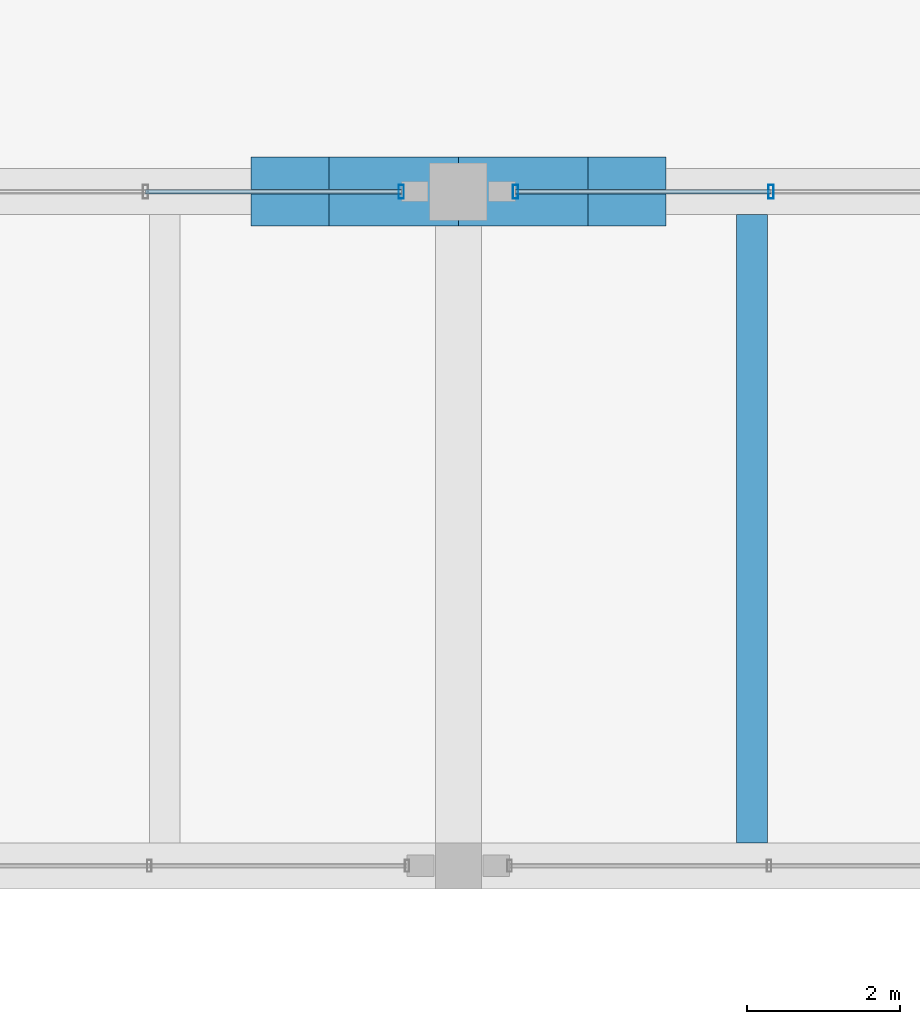
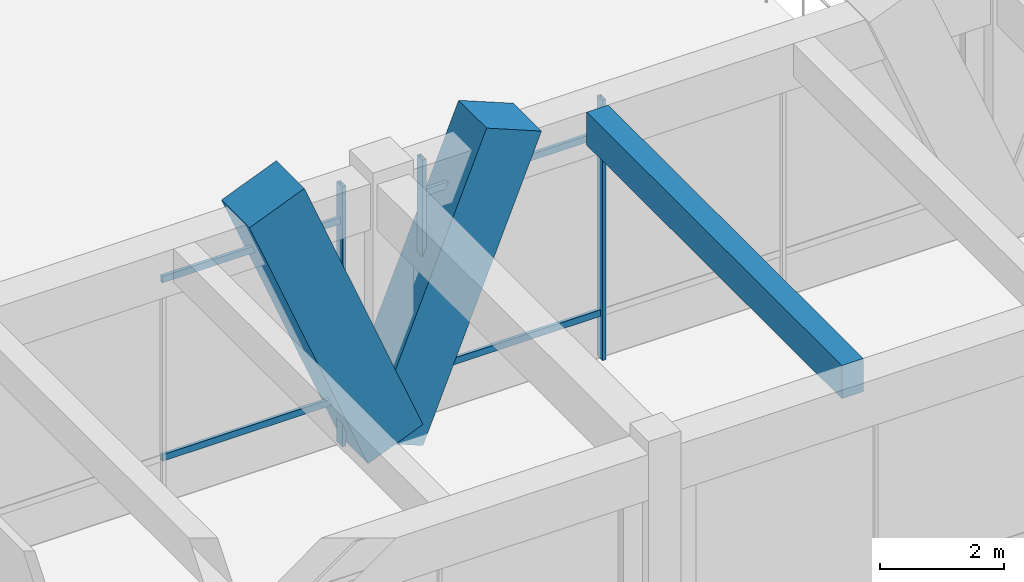
# One storey, part 87 of 148: 9 members, 1 beam, 2 elements without a shape of their own.
"""IFC4 building model written with IfcOpenShell, lengths in metres."""

from ifc_helpers import new_model, si_unit, direction, frame, origin, origin_2d, place, context, subcontext, project, spatial, rectangle, hollow_rectangle, extrude, material, material_profile, profile_set, type_object, element, aggregate, save


model = new_model("IFC4")

# Units and contexts
model_context = context("Model", 3, precision=1e-05, world=origin(), true_north=direction((0.0, 1.0)))
body_context = subcontext(model_context, "Body", "Model", "MODEL_VIEW")
ifc_project = project(units=[si_unit("LENGTHUNIT", "METRE"), si_unit("AREAUNIT", "SQUARE_METRE"), si_unit("VOLUMEUNIT", "CUBIC_METRE"), si_unit("PLANEANGLEUNIT", "RADIAN"), si_unit("MASSUNIT", "GRAM", prefix="KILO")], contexts=[model_context])

# Site, building, storey
site_placement = place(None, origin())
site = spatial("IfcSite", under=ifc_project, at=site_placement, CompositionType="ELEMENT")
building_placement = place(site_placement, origin())
building = spatial("IfcBuilding", under=site, at=building_placement, Name="Ologun Quay Terminus", CompositionType="ELEMENT")
storey_placement = place(building_placement, frame((0.0, 0.0, 8.39990234375)))
storey = spatial("IfcBuildingStorey", under=building, at=storey_placement, Name="L02", CompositionType="ELEMENT", Elevation=8.39990234375)

# Curtain wall, member
ifc_material_1 = material(Name="Aluminium 6063-T6", Category="aluminium")
curtain_wall_type = type_object("IfcCurtainWallType", Name="Train Shed South Clerestory Curtain Wall 10700x5050", PredefinedType="USERDEFINED", material=ifc_material_1)
curtain_wall_1_placement = place(storey_placement, origin())
curtain_wall_1 = element("IfcCurtainWall", 1, at=curtain_wall_1_placement, inside=storey, type_object=curtain_wall_type, Name="CW-08 Curtain Wall CW-L02-066", ObjectType="UNITISED CURTAIN WALL", PredefinedType="USERDEFINED")
ifc_material_2 = material(Name="Aluminium 6063-T6", Category="aluminium")
ifc_material_profile_1 = material_profile(ifc_material_2, hollow_rectangle(XDim=0.070068359375, YDim=0.179931640625, WallThickness=0.0048828125, at=origin_2d()), Name="ALU 180x70x5")
ifc_profile_set_1 = profile_set([ifc_material_profile_1], Name="Aluminium 6063-T6")
member_type_1 = type_object("IfcMemberType", Name="Concourse Clerestory Mullion 180x70", PredefinedType="MULLION", material=ifc_profile_set_1)
member_1_placement = place(storey_placement, frame((137.2548828125, 36.0, 0.0), z_axis=(0.0, 0.0, 1.0), x_axis=(1.0, 0.0, 0.0)))
member_1 = element("IfcMember", 2, at=member_1_placement, type_object=member_type_1, Name="CW-L02-066 Mullion 4", PredefinedType="MULLION", context=body_context, shape_type="SweptSolid", body=[
    extrude(hollow_rectangle(XDim=0.070068359375, YDim=0.179931640625, WallThickness=0.0048828125, at=origin_2d()), origin(), (0.0, 0.0, 1.0), 5.10009765625),
])

# Curtain wall, members
curtain_wall_2_placement = place(storey_placement, origin())
curtain_wall_2 = element("IfcCurtainWall", 3, at=curtain_wall_2_placement, inside=storey, type_object=curtain_wall_type, Name="CW-08 Curtain Wall CW-L02-068", ObjectType="UNITISED CURTAIN WALL", PredefinedType="USERDEFINED")
member_2_placement = place(storey_placement, frame((138.7451171875, 36.0, 0.0), z_axis=(0.0, 0.0, 1.0), x_axis=(1.0, 0.0, 0.0)))
member_2 = element("IfcMember", 4, at=member_2_placement, type_object=member_type_1, Name="CW-L02-068 Mullion 1", PredefinedType="MULLION", context=body_context, shape_type="SweptSolid", body=[
    extrude(hollow_rectangle(XDim=0.070068359375, YDim=0.179931640625, WallThickness=0.0048828125, at=origin_2d()), origin(), (0.0, 0.0, 1.0), 5.10009765625),
])
member_3_placement = place(storey_placement, frame((142.081787109375, 36.0, 0.0), z_axis=(0.0, 0.0, 1.0), x_axis=(1.0, 0.0, 0.0)))
member_3 = element("IfcMember", 5, at=member_3_placement, type_object=member_type_1, Name="CW-L02-068 Mullion 2", PredefinedType="MULLION", context=body_context, shape_type="SweptSolid", body=[
    extrude(hollow_rectangle(XDim=0.070068359375, YDim=0.179931640625, WallThickness=0.0048828125, at=origin_2d()), origin(), (0.0, 0.0, 1.0), 5.10009765625),
])

# Member
ifc_material_3 = material(Name="Aluminium 6063-T6", Category="aluminium")
ifc_material_profile_2 = material_profile(ifc_material_3, hollow_rectangle(XDim=0.06005859375, YDim=0.1298828125, WallThickness=0.00390625, at=origin_2d()), Name="ALU 130x60x4")
ifc_profile_set_2 = profile_set([ifc_material_profile_2], Name="Aluminium 6063-T6")
member_type_2 = type_object("IfcMemberType", Name="Concourse Clerestory Transom 130x60", PredefinedType="USERDEFINED", material=ifc_profile_set_2)
member_4_placement = place(storey_placement, frame((133.918212890625, 36.0, 0.900146484375), z_axis=(1.0, 0.0, 0.0), x_axis=(0.0, 1.0, 0.0)))
member_4 = element("IfcMember", 6, at=member_4_placement, type_object=member_type_2, Name="CW-L02-066 Transom B3-1", ObjectType="TRANSOM", PredefinedType="USERDEFINED", context=body_context, shape_type="SweptSolid", body=[
    extrude(hollow_rectangle(XDim=0.06005859375, YDim=0.1298828125, WallThickness=0.00390625, at=origin_2d()), origin(), (0.0, 0.0, 1.0), 3.336669921875),
])

member_5_placement = place(storey_placement, frame((133.918212890625, 36.0, 4.400146484375), z_axis=(1.0, 0.0, 0.0), x_axis=(0.0, 1.0, 0.0)))
member_5 = element("IfcMember", 7, at=member_5_placement, type_object=member_type_2, Name="CW-L02-066 Transom B3-2", ObjectType="TRANSOM", PredefinedType="USERDEFINED", context=body_context, shape_type="SweptSolid", body=[
    extrude(hollow_rectangle(XDim=0.06005859375, YDim=0.1298828125, WallThickness=0.00390625, at=origin_2d()), origin(), (0.0, 0.0, 1.0), 3.336669921875),
])

aggregate(curtain_wall_1, [member_1, member_4, member_5])

member_6_placement = place(storey_placement, frame((138.7451171875, 36.0, 0.900146484375), z_axis=(1.0, 0.0, 0.0), x_axis=(0.0, 1.0, 0.0)))
member_6 = element("IfcMember", 8, at=member_6_placement, type_object=member_type_2, Name="CW-L02-068 Transom B1-1", ObjectType="TRANSOM", PredefinedType="USERDEFINED", context=body_context, shape_type="SweptSolid", body=[
    extrude(hollow_rectangle(XDim=0.06005859375, YDim=0.1298828125, WallThickness=0.00390625, at=origin_2d()), origin(), (0.0, 0.0, 1.0), 3.336669921875),
])

member_7_placement = place(storey_placement, frame((138.7451171875, 36.0, 4.400146484375), z_axis=(1.0, 0.0, 0.0), x_axis=(0.0, 1.0, 0.0)))
member_7 = element("IfcMember", 9, at=member_7_placement, type_object=member_type_2, Name="CW-L02-068 Transom B1-2", ObjectType="TRANSOM", PredefinedType="USERDEFINED", context=body_context, shape_type="SweptSolid", body=[
    extrude(hollow_rectangle(XDim=0.06005859375, YDim=0.1298828125, WallThickness=0.00390625, at=origin_2d()), origin(), (0.0, 0.0, 1.0), 3.336669921875),
])

aggregate(curtain_wall_2, [member_2, member_3, member_6, member_7])

# Members
ifc_material_4 = material(Name="Concrete C45/55", Category="concrete")
ifc_material_profile_3 = material_profile(ifc_material_4, rectangle(XDim=0.89990234375, YDim=1.10009765625, at=origin_2d()), Name="RC 900x1100")
ifc_profile_set_3 = profile_set([ifc_material_profile_3], Name="Concrete C45/55")
member_type_3 = type_object("IfcMemberType", Name="Sculpted Concrete Arch V-Buttress Strut 900x1100", PredefinedType="STRUT", material=ifc_profile_set_3)
for number, where, z_axis, x_axis, name in (
    (10, (138.0, 36.0, 0.0), (-0.377280927807, 0.0, 0.926098861631), (0.0, -1.0, 0.0), "VS1 Arch V-Buttress West Limb 13/E"),
    (11, (138.0, 36.0, 0.0), (0.377280927807, 0.0, 0.926098861631), (0.0, 1.0, 0.0), "VS1 Arch V-Buttress East Limb 13/E"),
):
    element("IfcMember", number, at=place(storey_placement, frame(where, z_axis=z_axis, x_axis=x_axis)), inside=storey, type_object=member_type_3, Name=name, PredefinedType="STRUT", context=body_context, shape_type="SweptSolid", body=[
        extrude(rectangle(XDim=0.89990234375, YDim=1.10009765625, at=origin_2d()), origin(), (0.0, 0.0, 1.0), 5.8310546875),
    ])

# Beam
ifc_material_5 = material(Name="Concrete C40/50", Category="concrete")
ifc_material_profile_4 = material_profile(ifc_material_5, rectangle(XDim=0.39990234375, YDim=0.64990234375, at=origin_2d()), Name="RC 400x650")
ifc_profile_set_4 = profile_set([ifc_material_profile_4], Name="Concrete C40/50")
beam_type = type_object("IfcBeamType", Name="Station Secondary Joist 400x650", PredefinedType="JOIST", material=ifc_profile_set_4)
beam_placement = place(storey_placement, frame((141.833251953125, 27.5, 4.8251953125), z_axis=(0.0, 1.0, 0.0), x_axis=(-1.0, 0.0, 0.0)))
element("IfcBeam", 12, at=beam_placement, inside=storey, type_object=beam_type, Name="J1 Beam 13/D L02", PredefinedType="JOIST", context=body_context, shape_type="SweptSolid", body=[
    extrude(rectangle(XDim=0.39990234375, YDim=0.64990234375, at=origin_2d()), origin(), (0.0, 0.0, 1.0), 8.199951171875),
])

save(model, "model.ifc")
